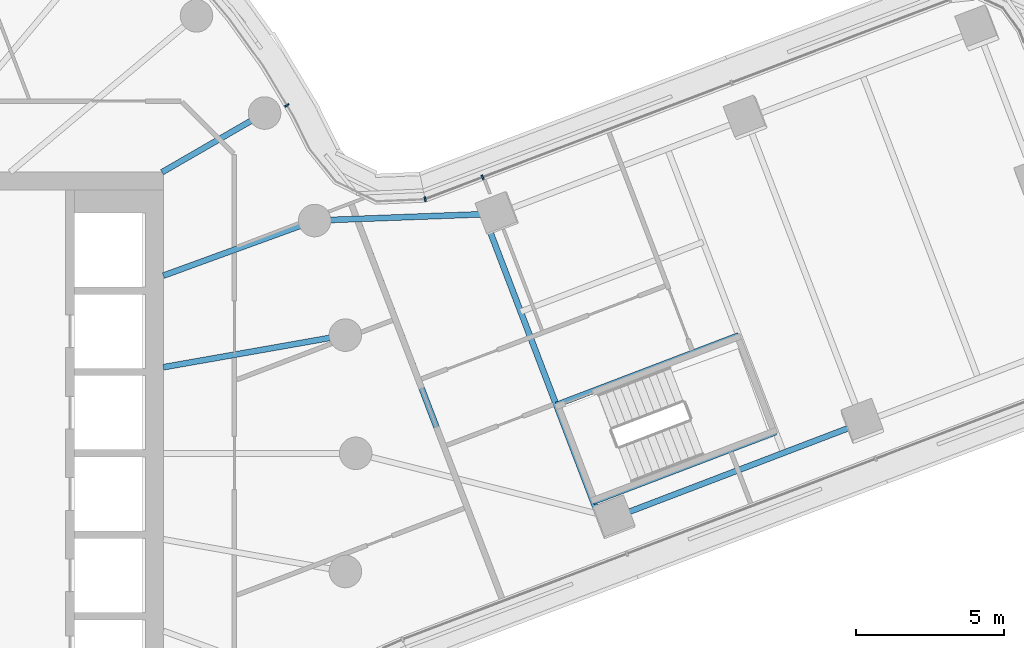
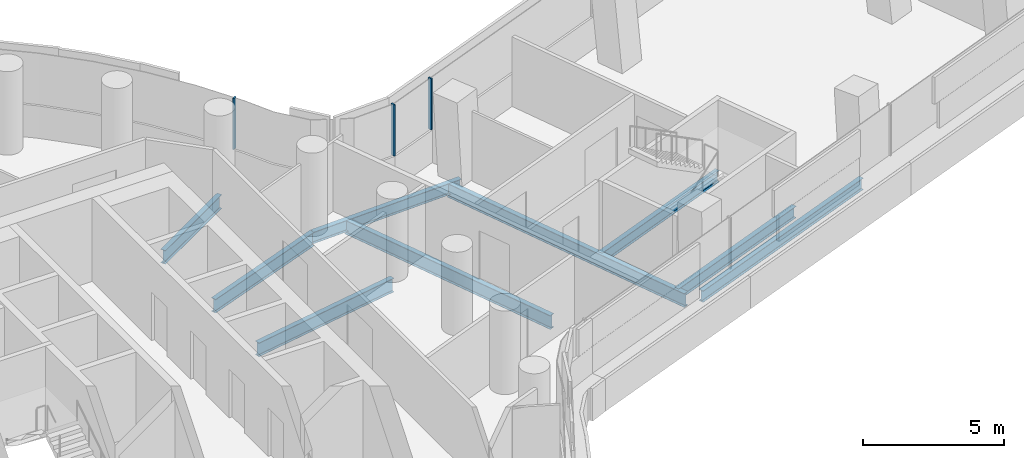
# One storey, part 11 of 32: 9 beams, 3 members, 2 elements without a shape of their own.
"""IFC4 building model written with IfcOpenShell, lengths in metres."""

from ifc_helpers import new_model, si_unit, direction, frame, origin, origin_2d, place, context, subcontext, project, spatial, rectangle, i_section, extrude, material, layer, layer_set, material_profile, profile_set, type_object, element, aggregate, save


model = new_model("IFC4")

# Units and contexts
model_context = context("Model", 3, precision=1e-05, world=origin(), true_north=direction((0.0, 1.0)))
body_context = subcontext(model_context, "Body", "Model", "MODEL_VIEW")
ifc_project = project(units=[si_unit("LENGTHUNIT", "METRE"), si_unit("AREAUNIT", "SQUARE_METRE"), si_unit("VOLUMEUNIT", "CUBIC_METRE"), si_unit("PLANEANGLEUNIT", "RADIAN"), si_unit("MASSUNIT", "GRAM", prefix="KILO")], contexts=[model_context])

# Site, building, storey
site_placement = place(None, origin())
site = spatial("IfcSite", under=ifc_project, at=site_placement, CompositionType="ELEMENT")
building_placement = place(site_placement, origin())
building = spatial("IfcBuilding", under=site, at=building_placement, Name="Tamarind Cross Interchange Tower", CompositionType="ELEMENT")
storey_placement = place(building_placement, frame((0.0, 0.0, 109.75)))
storey = spatial("IfcBuildingStorey", under=building, at=storey_placement, Name="L26", CompositionType="ELEMENT", Elevation=109.75)

# Beams
ifc_material_1 = material(Name="Steel Q355B", Category="steel")
ifc_material_profile_1 = material_profile(ifc_material_1, i_section(OverallWidth=0.198974609375, OverallDepth=0.49609375, WebThickness=0.009033203125, FlangeThickness=0.013916015625, FilletRadius=0.012939453125, at=origin_2d()), Name="HN 496x199x9x14")
ifc_profile_set_1 = profile_set([ifc_material_profile_1], Name="Steel Q355B")
beam_type_1 = type_object("IfcBeamType", Name="Composite beam HN 496x199x9x14 Q355B", PredefinedType="BEAM", material=ifc_profile_set_1)
beam_1_placement = place(storey_placement, frame((40.123779296875, 1.0322265625, -0.387939453125), z_axis=(-0.934222330711, -0.356691234546, 0.0), x_axis=(0.356691234546, -0.934222330711, 0.0)))
element("IfcBeam", 1, at=beam_1_placement, inside=storey, type_object=beam_type_1, Name="Beam E-edgeem6", PredefinedType="BEAM", context=body_context, shape_type="SweptSolid", body=[
    extrude(i_section(OverallWidth=0.198974609375, OverallDepth=0.49609375, WebThickness=0.009033203125, FlangeThickness=0.013916015625, FilletRadius=0.012939453125, at=origin_2d()), origin(), (0.0, 0.0, 1.0), 9.0),
])
beam_2_placement = place(storey_placement, frame((27.79248046875, 8.0986328125, -0.387939453125), z_axis=(-0.99929489644, -0.037546104323, 0.0), x_axis=(0.037546104323, -0.99929489644, 0.0)))
element("IfcBeam", 2, at=beam_2_placement, inside=storey, type_object=beam_type_1, Name="Beam E-linkep", PredefinedType="BEAM", context=body_context, shape_type="SweptSolid", body=[
    extrude(i_section(OverallWidth=0.198974609375, OverallDepth=0.49609375, WebThickness=0.009033203125, FlangeThickness=0.013916015625, FilletRadius=0.012939453125, at=origin_2d()), origin(), (0.0, 0.0, 1.0), 6.183837890625),
])
for number, where, z_axis, x_axis, name in (
    (3, (31.02783203125, -1.6376953125, -0.387939453125), (0.934233177325, 0.356662824508, 0.0), (-0.356662824508, 0.934233177325, 0.0), "Beam E-tr0"),
    (4, (29.779541015625, 1.632080078125, -0.387939453125), (0.934233177325, 0.356662824508, 0.0), (-0.356662824508, 0.934233177325, 0.0), "Beam E-tr1"),
):
    element("IfcBeam", number, at=place(storey_placement, frame(where, z_axis=z_axis, x_axis=x_axis)), inside=storey, type_object=beam_type_1, Name=name, PredefinedType="BEAM", context=body_context, shape_type="SweptSolid", body=[
        extrude(i_section(OverallWidth=0.198974609375, OverallDepth=0.49609375, WebThickness=0.009033203125, FlangeThickness=0.013916015625, FilletRadius=0.012939453125, at=origin_2d()), origin(), (0.0, 0.0, 1.0), 6.60009765625),
    ])
ifc_material_profile_2 = material_profile(ifc_material_1, i_section(OverallWidth=0.198974609375, OverallDepth=0.595947265625, WebThickness=0.010009765625, FlangeThickness=0.014892578125, FilletRadius=0.012939453125, at=origin_2d()), Name="HN 596x199x10x15")
ifc_profile_set_2 = profile_set([ifc_material_profile_2], Name="Steel Q355B")
beam_type_2 = type_object("IfcBeamType", Name="Composite beam HN 596x199x10x15 Q355B", PredefinedType="BEAM", material=ifc_profile_set_2)
beam_3_placement = place(storey_placement, frame((22.650634765625, 3.993896484375, -0.43798828125), z_axis=(-0.984809127561, -0.173640382036, 0.0), x_axis=(0.173640382036, -0.984809127561, 0.0)))
element("IfcBeam", 5, at=beam_3_placement, inside=storey, type_object=beam_type_2, Name="Beam HH01", PredefinedType="BEAM", context=body_context, shape_type="SweptSolid", body=[
    extrude(i_section(OverallWidth=0.198974609375, OverallDepth=0.595947265625, WebThickness=0.010009765625, FlangeThickness=0.014892578125, FilletRadius=0.012939453125, at=origin_2d()), origin(), (0.0, 0.0, 1.0), 6.24560546875),
])
beam_4_placement = place(storey_placement, frame((21.613037109375, 7.866455078125, -0.43798828125), z_axis=(-0.939701685589, -0.341995236956, 0.0), x_axis=(0.341995236956, -0.939701685589, 0.0)))
element("IfcBeam", 6, at=beam_4_placement, inside=storey, type_object=beam_type_2, Name="Beam HH02", PredefinedType="BEAM", context=body_context, shape_type="SweptSolid", body=[
    extrude(i_section(OverallWidth=0.198974609375, OverallDepth=0.595947265625, WebThickness=0.010009765625, FlangeThickness=0.014892578125, FilletRadius=0.012939453125, at=origin_2d()), origin(), (0.0, 0.0, 1.0), 5.441162109375),
])
beam_5_placement = place(storey_placement, frame((19.918701171875, 11.5, -0.43798828125), z_axis=(-0.866026010844, -0.49999894854, 0.0), x_axis=(0.49999894854, -0.866026010844, 0.0)))
element("IfcBeam", 7, at=beam_5_placement, inside=storey, type_object=beam_type_2, Name="Beam HH03", PredefinedType="BEAM", context=body_context, shape_type="SweptSolid", body=[
    extrude(i_section(OverallWidth=0.198974609375, OverallDepth=0.595947265625, WebThickness=0.010009765625, FlangeThickness=0.014892578125, FilletRadius=0.012939453125, at=origin_2d()), origin(), (0.0, 0.0, 1.0), 4.0),
])
ifc_material_profile_3 = material_profile(ifc_material_1, i_section(OverallWidth=0.199951171875, OverallDepth=0.60009765625, WebThickness=0.010986328125, FlangeThickness=0.01708984375, FilletRadius=0.012939453125, at=origin_2d()), Name="HN 600x200x11x17")
ifc_profile_set_3 = profile_set([ifc_material_profile_3], Name="Steel Q355B")
beam_type_3 = type_object("IfcBeamType", Name="Composite beam HN 600x200x11x17 Q355B", PredefinedType="BEAM", material=ifc_profile_set_3)
beam_6_placement = place(storey_placement, frame((31.183349609375, -2.044921875, -0.43994140625), z_axis=(-0.356664034174, 0.934232715509, 0.0), x_axis=(-0.934232715509, -0.356664034174, 0.0)))
element("IfcBeam", 8, at=beam_6_placement, inside=storey, type_object=beam_type_3, Name="Beam E-x298", PredefinedType="BEAM", context=body_context, shape_type="SweptSolid", body=[
    extrude(i_section(OverallWidth=0.199951171875, OverallDepth=0.60009765625, WebThickness=0.010986328125, FlangeThickness=0.01708984375, FilletRadius=0.012939453125, at=origin_2d()), origin(), (0.0, 0.0, 1.0), 10.838623046875),
])
beam_7_placement = place(storey_placement, frame((26.39111328125, -0.847412109375, -0.43994140625), z_axis=(-0.356682163656, 0.934225793976, 0.0), x_axis=(-0.934225793976, -0.356682163656, 0.0)))
element("IfcBeam", 9, at=beam_7_placement, inside=storey, type_object=beam_type_3, Name="Beam E-x258", PredefinedType="BEAM", context=body_context, shape_type="SweptSolid", body=[
    extrude(i_section(OverallWidth=0.199951171875, OverallDepth=0.60009765625, WebThickness=0.010986328125, FlangeThickness=0.01708984375, FilletRadius=0.012939453125, at=origin_2d()), origin(), (0.0, 0.0, 1.0), 9.384765625),
])

# Curtain wall, member
ifc_material_2 = material(Name="Aluminium 6063-T6", Category="aluminium")
ifc_layer = layer(ifc_material_2, 0.159912109375)
ifc_layer_set = layer_set([ifc_layer], Name="Aluminium 6063-T6")
curtain_wall_type = type_object("IfcCurtainWallType", Name="Office curtain wall, 9.0 m bays", PredefinedType="NOTDEFINED", material=ifc_layer_set)
curtain_wall_1_placement = place(storey_placement, origin())
curtain_wall_1 = element("IfcCurtainWall", 10, at=curtain_wall_1_placement, inside=storey, type_object=curtain_wall_type, Name="CWS-L26-09", PredefinedType="NOTDEFINED")
ifc_material_profile_4 = material_profile(ifc_material_2, rectangle(XDim=0.06005859375, YDim=0.159912109375, at=origin_2d()), Name="Mullion CW1")
ifc_profile_set_4 = profile_set([ifc_material_profile_4], Name="Aluminium 6063-T6")
member_type = type_object("IfcMemberType", Name="Mullion CW1", PredefinedType="MULLION", material=ifc_profile_set_4)
member_1_placement = place(storey_placement, frame((27.289306640625, 9.326904296875, 1.39990234375), z_axis=(0.0, 0.0, 1.0), x_axis=(-0.934795735228, -0.355185773082, 0.0)))
member_1 = element("IfcMember", 11, at=member_1_placement, type_object=member_type, Name="CWM-L26-09-02", PredefinedType="MULLION", context=body_context, shape_type="SweptSolid", body=[
    extrude(rectangle(XDim=0.06005859375, YDim=0.159912109375, at=origin_2d()), origin(), (0.0, 0.0, 1.0), 2.210205078125),
])
aggregate(curtain_wall_1, [member_1])

# Curtain wall, members
curtain_wall_2_placement = place(storey_placement, origin())
curtain_wall_2 = element("IfcCurtainWall", 12, at=curtain_wall_2_placement, inside=storey, type_object=curtain_wall_type, Name="CWS-L26-10", PredefinedType="NOTDEFINED")
member_2_placement = place(storey_placement, frame((25.34619140625, 8.588623046875, 1.39990234375), z_axis=(0.0, 0.0, 1.0), x_axis=(-0.979480943004, -0.201536801334, 0.0)))
member_2 = element("IfcMember", 13, at=member_2_placement, type_object=member_type, Name="CWM-L26-10-00", PredefinedType="MULLION", context=body_context, shape_type="SweptSolid", body=[
    extrude(rectangle(XDim=0.06005859375, YDim=0.159912109375, at=origin_2d()), origin(), (0.0, 0.0, 1.0), 2.210205078125),
])
member_3_placement = place(storey_placement, frame((20.67236328125, 11.758544921875, 1.39990234375), z_axis=(0.0, 0.0, 1.0), x_axis=(-0.515577308909, 0.856843065292, 0.0)))
member_3 = element("IfcMember", 14, at=member_3_placement, type_object=member_type, Name="CWM-L26-10-01", PredefinedType="MULLION", context=body_context, shape_type="SweptSolid", body=[
    extrude(rectangle(XDim=0.06005859375, YDim=0.159912109375, at=origin_2d()), origin(), (0.0, 0.0, 1.0), 2.210205078125),
])
aggregate(curtain_wall_2, [member_2, member_3])

save(model, "model.ifc")
